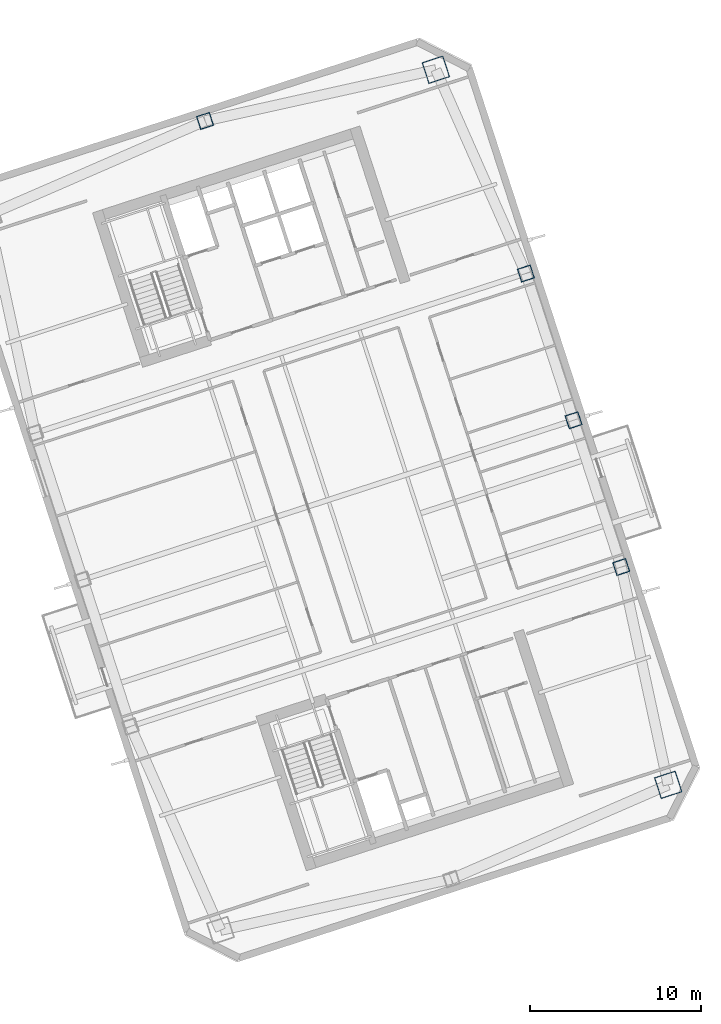
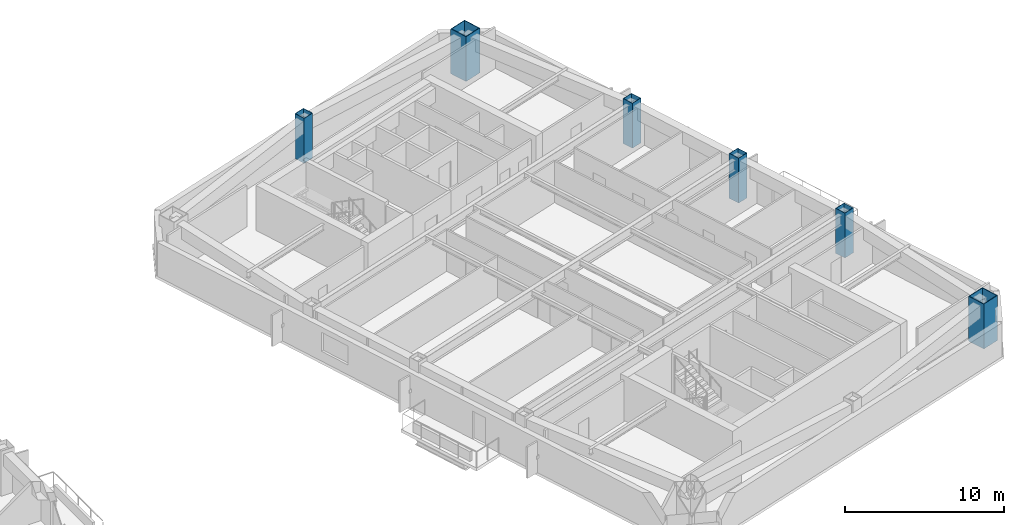
# One storey, part 2 of 17: 6 columns.
"""IFC4 building model written with IfcOpenShell, lengths in metres."""

import ifcopenshell
import ifcopenshell.guid

model = None  # the IFC model being written
_history = None  # IfcOwnerHistory: only IFC2X3 demands one
_inside = {}  # id of a spatial element -> (the spatial element, [elements in it])
_under = {}  # id of a project, library or spatial element -> (it, [spatial elements below it])
_declared = {}  # id of a project -> (the project, [libraries it declares])
_typed = {}  # id of a type object -> (the type object, [elements of that type])
_made_of = {}  # id of a material, layer set ... -> (it, [elements and type objects made of it])


def new_model(schema):
    """Start an empty IFC model of exactly this schema.

    Asked for "IFC4X3", IfcOpenShell would pick the latest addendum, in which some entities
    have other attributes; the version numbers below select the first issue.
    IFC2X3 requires an IfcOwnerHistory on every rooted entity: one is made here for all.
    """
    global model, _history
    if schema == "IFC4X3":
        model = ifcopenshell.file(schema_version=(4, 3, 0, 0))
    else:
        model = ifcopenshell.file(schema=schema)
    _inside.clear()
    _under.clear()
    _declared.clear()
    _typed.clear()
    _made_of.clear()
    _history = None
    if model.schema == "IFC2X3":
        org = make("IfcOrganization", Name="unknown")
        user = make(
            "IfcPersonAndOrganization",
            ThePerson=make("IfcPerson", FamilyName="unknown"),
            TheOrganization=org,
        )
        app = make(
            "IfcApplication",
            ApplicationDeveloper=org,
            Version="unknown",
            ApplicationFullName="unknown",
            ApplicationIdentifier="unknown",
        )
        _history = make(
            "IfcOwnerHistory",
            OwningUser=user,
            OwningApplication=app,
            ChangeAction="ADDED",
            CreationDate=0,
        )
    return model


def make(cls, **values):
    """One entity of the class cls with the attributes given. An attribute that is None is left unset."""
    return model.create_entity(
        cls, **{name: value for name, value in values.items() if value is not None}
    )


def rooted(cls, **values):
    """An entity with a GlobalId (a new one), such as an element, a storey or a relation."""
    return make(cls, GlobalId=ifcopenshell.guid.new(), OwnerHistory=_history, **values)


def si_unit(unit_type, name, prefix=None):
    """IfcSIUnit, for example si_unit("LENGTHUNIT", "METRE", prefix="MILLI")."""
    return make("IfcSIUnit", UnitType=unit_type, Prefix=prefix, Name=name)


def assignment(units):
    """IfcUnitAssignment: the units of a project."""
    return None if units is None else make("IfcUnitAssignment", Units=units)


def point(xyz):
    """IfcCartesianPoint."""
    return None if xyz is None else make("IfcCartesianPoint", Coordinates=xyz)


def direction(xyz):
    """IfcDirection."""
    return None if xyz is None else make("IfcDirection", DirectionRatios=xyz)


def frame(location, z_axis=None, x_axis=None):
    """IfcAxis2Placement3D, a coordinate frame: its origin and axes. An axis left out is left unset."""
    return make(
        "IfcAxis2Placement3D",
        Location=point(location),
        Axis=direction(z_axis),
        RefDirection=direction(x_axis),
    )


def frame_2d(location, x_axis=None):
    """IfcAxis2Placement2D, a coordinate frame in the plane: its origin and x axis."""
    return make(
        "IfcAxis2Placement2D", Location=point(location), RefDirection=direction(x_axis)
    )


def origin():
    """The frame at (0, 0, 0) with its axes left unset."""
    return frame((0.0, 0.0, 0.0))


def origin_2d():
    """The frame at (0, 0) in the plane with its x axis left unset."""
    return frame_2d((0.0, 0.0))


def place(relative_to, where):
    """IfcLocalPlacement: puts the frame where relative to a parent placement (None: the world)."""
    return make(
        "IfcLocalPlacement", PlacementRelTo=relative_to, RelativePlacement=where
    )


def context(
    kind, dimensions, precision=None, world=None, true_north=None, identifier=None
):
    """IfcGeometricRepresentationContext, for example the 3D "Model" context."""
    return make(
        "IfcGeometricRepresentationContext",
        ContextIdentifier=identifier,
        ContextType=kind,
        CoordinateSpaceDimension=dimensions,
        Precision=precision,
        WorldCoordinateSystem=world,
        TrueNorth=true_north,
    )


def subcontext(parent, identifier, kind, view, scale=None):
    """IfcGeometricRepresentationSubContext, for example "Body" below "Model"."""
    return make(
        "IfcGeometricRepresentationSubContext",
        ContextIdentifier=identifier,
        ContextType=kind,
        ParentContext=parent,
        TargetScale=scale,
        TargetView=view,
    )


def project(units=None, contexts=None):
    """IfcProject with its units and contexts."""
    return rooted(
        "IfcProject",
        Name="project",
        RepresentationContexts=contexts,
        UnitsInContext=assignment(units),
    )


def spatial(cls, under=None, at=None, **own):
    """A site, building, storey or space (cls), placed at a placement, below another one or the project."""
    s = rooted(cls, ObjectPlacement=at, **own)
    if under is not None:
        _under.setdefault(under.id(), (under, []))[1].append(s)
    return s


def profile(cls, at=None, kind="AREA", **sizes):
    """A parametric profile (cls). Its sizes go by their IFC names, for example OverallWidth=200.0."""
    return make(cls, ProfileType=kind, Position=at, **sizes)


def hollow_rectangle(**sizes):
    """IfcRectangleHollowProfileDef."""
    return profile("IfcRectangleHollowProfileDef", **sizes)


def extrude(swept, where, along, depth):
    """IfcExtrudedAreaSolid: the profile swept, set in the frame where, extruded along a direction by depth."""
    return make(
        "IfcExtrudedAreaSolid",
        SweptArea=swept,
        Position=where,
        ExtrudedDirection=direction(along),
        Depth=depth,
    )


def shape(context_of_items, identifier, shape_type, items):
    """IfcShapeRepresentation: the items that make up one representation, for example the "Body"."""
    return make(
        "IfcShapeRepresentation",
        ContextOfItems=context_of_items,
        RepresentationIdentifier=identifier,
        RepresentationType=shape_type,
        Items=items,
    )


def material(Name=None, Category=None):
    """IfcMaterial."""
    return make("IfcMaterial", Name=Name, Category=Category)


def material_profile(
    of_material, cross_section, Name=None, Category=None, Priority=None
):
    """IfcMaterialProfile: a cross section and its material."""
    return make(
        "IfcMaterialProfile",
        Name=Name,
        Material=of_material,
        Profile=cross_section,
        Priority=Priority,
        Category=Category,
    )


def profile_set(profiles, Name=None, composite=None):
    """IfcMaterialProfileSet."""
    return make(
        "IfcMaterialProfileSet",
        Name=Name,
        MaterialProfiles=profiles,
        CompositeProfile=composite,
    )


def made_of(thing, what):
    """Note that an element or type object is made of a material, layer set ...; save() writes the relation."""
    if what is not None:
        _made_of.setdefault(what.id(), (what, []))[1].append(thing)
    return thing


def type_object(cls, material=None, **own):
    """A type object (cls), such as IfcWallType, which elements share."""
    return made_of(rooted(cls, **own), material)


def element(
    cls,
    number,
    at=None,
    inside=None,
    cuts=None,
    type_object=None,
    material=None,
    context=None,
    identifier="Body",
    shape_type=None,
    held_by="IfcProductDefinitionShape",
    body=None,
    shapes=None,
    **own,
):
    """One element of the class cls, such as IfcWall. Its Tag is "e" and its number.

    at: its placement. inside: the storey or other place that contains it. cuts: it is an
    opening in that element (IfcRelVoidsElement). A single representation is given by context,
    identifier, shape_type and body (its items); several are given by shapes. held_by: the class
    of the entity that holds the representations. save() writes the other relations.
    """
    e = rooted(cls, Tag="e%d" % number, ObjectPlacement=at, **own)
    if body is not None:
        shapes = [shape(context, identifier, shape_type, body)]
    if shapes is not None:
        e.Representation = make(held_by, Representations=shapes)
    if inside is not None:
        _inside.setdefault(inside.id(), (inside, []))[1].append(e)
    if cuts is not None:
        rooted(
            "IfcRelVoidsElement", RelatingBuildingElement=cuts, RelatedOpeningElement=e
        )
    if type_object is not None:
        _typed.setdefault(type_object.id(), (type_object, []))[1].append(e)
    return made_of(e, material)


def aggregate(whole, parts):
    """IfcRelAggregates: a whole, such as a stair, and the parts it consists of."""
    return rooted("IfcRelAggregates", RelatingObject=whole, RelatedObjects=parts)


def save(model, path):
    """Write the relations noted so far, then the file.

    IfcRelAggregates (storeys below a building ...), IfcRelContainedInSpatialStructure (elements
    in a storey), IfcRelDefinesByType, IfcRelAssociatesMaterial and IfcRelDeclares: one each for
    every whole, place, type object, material and project.
    """
    for whole, parts in _under.values():
        aggregate(whole, parts)
    for where, things in _inside.values():
        rooted(
            "IfcRelContainedInSpatialStructure",
            RelatedElements=things,
            RelatingStructure=where,
        )
    for kind, things in _typed.values():
        rooted("IfcRelDefinesByType", RelatedObjects=things, RelatingType=kind)
    for what, things in _made_of.values():
        rooted("IfcRelAssociatesMaterial", RelatedObjects=things, RelatingMaterial=what)
    for by, libraries in _declared.values():
        rooted("IfcRelDeclares", RelatingContext=by, RelatedDefinitions=libraries)
    model.write(path)


model = new_model("IFC4")

# Units and contexts
model_context = context("Model", 3, precision=1e-05, world=origin(), true_north=direction((0.0, 1.0)))
body_context = subcontext(model_context, "Body", "Model", "MODEL_VIEW")
ifc_project = project(units=[si_unit("LENGTHUNIT", "METRE"), si_unit("AREAUNIT", "SQUARE_METRE"), si_unit("VOLUMEUNIT", "CUBIC_METRE"), si_unit("PLANEANGLEUNIT", "RADIAN"), si_unit("MASSUNIT", "GRAM", prefix="KILO")], contexts=[model_context])

# Site, building, storey
site_placement = place(None, origin())
site = spatial("IfcSite", under=ifc_project, at=site_placement, CompositionType="ELEMENT")
building_placement = place(site_placement, origin())
building = spatial("IfcBuilding", under=site, at=building_placement, Name="Qiaolan Cultural Towers", CompositionType="ELEMENT")
storey_placement = place(building_placement, frame((0.0, 0.0, 152.949951171875)))
storey = spatial("IfcBuildingStorey", under=building, at=storey_placement, Name="L40", CompositionType="ELEMENT", Elevation=152.949951171875)

# Columns
ifc_material_1 = material(Name="Steel Q390GJB", Category="steel")
ifc_material_profile_1 = material_profile(ifc_material_1, hollow_rectangle(XDim=1.300048828125, YDim=1.300048828125, WallThickness=0.044921875, at=origin_2d()), Name="BOX1300x1300x45")
ifc_profile_set_1 = profile_set([ifc_material_profile_1], Name="Steel Q390GJB")
column_type_1 = type_object("IfcColumnType", Name="COL-BOX1300x1300x45", PredefinedType="COLUMN", material=ifc_profile_set_1)
for number, where, z_axis, x_axis, name in (
    (1, (109.834716796875, 17.38623046875, 0.0), (0.0, 0.0, 1.0), (0.951056516295, 0.309016994375, 0.0), "L40 T2 Perimeter Column MC-SE"),
    (2, (96.28125, 59.099365234375, 0.0), (0.0, 0.0, 1.0), (0.951056516295, 0.309016994375, 0.0), "L40 T2 Perimeter Column MC-NE"),
):
    element("IfcColumn", number, at=place(storey_placement, frame(where, z_axis=z_axis, x_axis=x_axis)), inside=storey, type_object=column_type_1, Name=name, PredefinedType="COLUMN", context=body_context, shape_type="SweptSolid", body=[
        extrude(hollow_rectangle(XDim=1.300048828125, YDim=1.300048828125, WallThickness=0.044921875, at=origin_2d()), origin(), (0.0, 0.0, 1.0), 3.450927734375),
    ])
ifc_material_2 = material(Name="Steel Q355B", Category="steel")
ifc_material_profile_2 = material_profile(ifc_material_2, hollow_rectangle(XDim=0.800048828125, YDim=0.800048828125, WallThickness=0.028076171875, at=origin_2d()), Name="BOX800x800x28")
ifc_profile_set_2 = profile_set([ifc_material_profile_2], Name="Steel Q355B")
column_type_2 = type_object("IfcColumnType", Name="COL-BOX800x800x28", PredefinedType="COLUMN", material=ifc_profile_set_2)
for number, where, z_axis, x_axis, name in (
    (3, (107.094482421875, 30.09130859375, 0.0), (0.0, 0.0, 1.0), (0.951056516295, 0.309016994375, 0.0), "L40 T2 Perimeter Column PC-E1"),
    (4, (104.3134765625, 38.650634765625, 0.0), (0.0, 0.0, 1.0), (0.951056516295, 0.309016994375, 0.0), "L40 T2 Perimeter Column PC-E2"),
    (5, (101.5322265625, 47.210205078125, 0.0), (0.0, 0.0, 1.0), (0.951056516295, 0.309016994375, 0.0), "L40 T2 Perimeter Column PC-E3"),
    (6, (82.8154296875, 56.112060546875, 0.0), (0.0, 0.0, 1.0), (0.951056516295, 0.309016994375, 0.0), "L40 T2 Perimeter Column PC-N0"),
):
    element("IfcColumn", number, at=place(storey_placement, frame(where, z_axis=z_axis, x_axis=x_axis)), inside=storey, type_object=column_type_2, Name=name, PredefinedType="COLUMN", context=body_context, shape_type="SweptSolid", body=[
        extrude(hollow_rectangle(XDim=0.800048828125, YDim=0.800048828125, WallThickness=0.028076171875, at=origin_2d()), origin(), (0.0, 0.0, 1.0), 3.450927734375),
    ])

save(model, "model.ifc")
